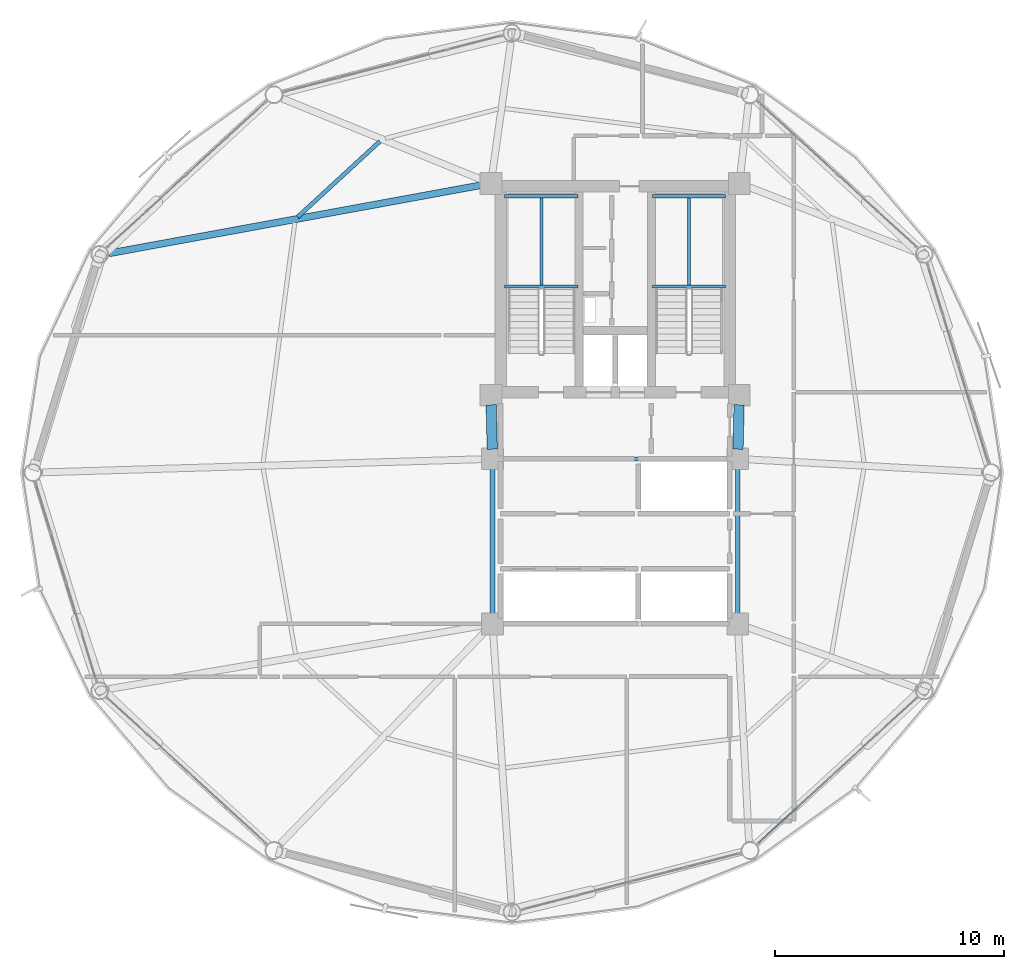
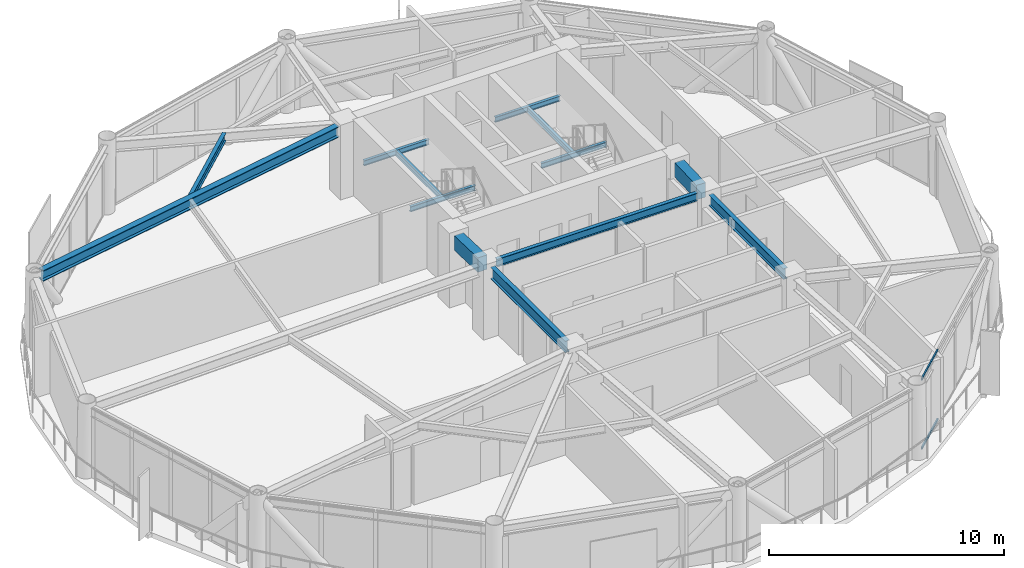
# One storey, part 12 of 27: 13 beams, 2 members, 1 element without a shape of its own.
"""IFC4 building model written with IfcOpenShell, lengths in metres."""

from ifc_helpers import new_model, si_unit, direction, frame, origin, origin_2d, place, context, subcontext, project, spatial, rectangle, hollow_rectangle, i_section, extrude, material, layer, layer_set, material_profile, profile_set, type_object, element, aggregate, save


model = new_model("IFC4")

# Units and contexts
model_context = context("Model", 3, precision=1e-05, world=origin(), true_north=direction((0.0, 1.0)))
body_context = subcontext(model_context, "Body", "Model", "MODEL_VIEW")
ifc_project = project(units=[si_unit("LENGTHUNIT", "METRE"), si_unit("AREAUNIT", "SQUARE_METRE"), si_unit("VOLUMEUNIT", "CUBIC_METRE"), si_unit("PLANEANGLEUNIT", "RADIAN"), si_unit("MASSUNIT", "GRAM", prefix="KILO")], contexts=[model_context])

# Site, building, storey
site_placement = place(None, origin())
site = spatial("IfcSite", under=ifc_project, at=site_placement, CompositionType="ELEMENT")
building_placement = place(site_placement, origin())
building = spatial("IfcBuilding", under=site, at=building_placement, Name="Varnakorn Sky Granary", CompositionType="ELEMENT")
storey_placement = place(building_placement, frame((0.0, 0.0, 142.199951171875)))
storey = spatial("IfcBuildingStorey", under=building, at=storey_placement, Name="L35", CompositionType="ELEMENT", Elevation=142.199951171875)

# Beams
ifc_material_1 = material(Name="Steel S355JR", Category="steel")
ifc_material_profile_1 = material_profile(ifc_material_1, i_section(OverallWidth=0.2099609375, OverallDepth=0.550048828125, WebThickness=0.010986328125, FlangeThickness=0.01708984375, at=origin_2d()), Name="IPE 550")
ifc_profile_set_1 = profile_set([ifc_material_profile_1], Name="Steel S355JR")
beam_type_1 = type_object("IfcBeamType", Name="BM-JST-550", PredefinedType="JOIST", material=ifc_profile_set_1)
beam_1_placement = place(storey_placement, frame((8.35009765625, 0.179931640625, 3.364990234375), z_axis=(0.0, -1.0, 0.0), x_axis=(1.0, 0.0, 0.0)))
element("IfcBeam", 1, at=beam_1_placement, inside=storey, type_object=beam_type_1, Name="Core Spine Framing Beam 4 L35", PredefinedType="JOIST", context=body_context, shape_type="SweptSolid", body=[
    extrude(i_section(OverallWidth=0.2099609375, OverallDepth=0.550048828125, WebThickness=0.010986328125, FlangeThickness=0.01708984375, at=origin_2d()), origin(), (0.0, 0.0, 1.0), 6.35986328125),
])
ifc_material_profile_2 = material_profile(ifc_material_1, i_section(OverallWidth=0.219970703125, OverallDepth=0.60009765625, WebThickness=0.011962890625, FlangeThickness=0.01904296875, at=origin_2d()), Name="IPE 600")
ifc_profile_set_2 = profile_set([ifc_material_profile_2], Name="Steel S355JR")
beam_type_2 = type_object("IfcBeamType", Name="BM-JST-600", PredefinedType="JOIST", material=ifc_profile_set_2)
beam_2_placement = place(storey_placement, frame((-2.35009765625, 0.179931640625, 3.340087890625), z_axis=(0.0, -1.0, 0.0), x_axis=(1.0, 0.0, 0.0)))
element("IfcBeam", 2, at=beam_2_placement, inside=storey, type_object=beam_type_2, Name="Core Spine Framing Beam 3 L35", PredefinedType="JOIST", context=body_context, shape_type="SweptSolid", body=[
    extrude(i_section(OverallWidth=0.219970703125, OverallDepth=0.60009765625, WebThickness=0.011962890625, FlangeThickness=0.01904296875, at=origin_2d()), origin(), (0.0, 0.0, 1.0), 6.35986328125),
])
ifc_material_2 = material(Name="Concrete C60/75", Category="concrete")
ifc_material_profile_3 = material_profile(ifc_material_2, rectangle(XDim=0.449951171875, YDim=0.75, at=origin_2d()), Name="RC 450x750")
ifc_profile_set_3 = profile_set([ifc_material_profile_3], Name="Concrete C60/75")
beam_type_3 = type_object("IfcBeamType", Name="BM-LIN-750", PredefinedType="LINTEL", material=ifc_profile_set_3)
for number, where, z_axis, x_axis, name in (
    (3, (-2.409423828125, 2.960205078125, 3.26513671875), (0.025158763514, -0.999683468213, 0.0), (0.999683468213, 0.025158763514, 0.0), "Core Spine Framing Beam 1 L35"),
    (4, (8.409423828125, 2.960205078125, 3.26513671875), (-0.025158763514, -0.999683468213, 0.0), (0.999683468213, -0.025158763514, 0.0), "Core Spine Framing Beam 2 L35"),
):
    element("IfcBeam", number, at=place(storey_placement, frame(where, z_axis=z_axis, x_axis=x_axis)), inside=storey, type_object=beam_type_3, Name=name, PredefinedType="LINTEL", context=body_context, shape_type="SweptSolid", body=[
        extrude(rectangle(XDim=0.449951171875, YDim=0.75, at=origin_2d()), origin(), (0.0, 0.0, 1.0), 1.94091796875),
    ])
ifc_material_profile_4 = material_profile(ifc_material_1, i_section(OverallWidth=0.135009765625, OverallDepth=0.27001953125, WebThickness=0.006591796875, FlangeThickness=0.01025390625, at=origin_2d()), Name="IPE 270")
ifc_profile_set_4 = profile_set([ifc_material_profile_4], Name="Steel S355JR")
beam_type_4 = type_object("IfcBeamType", Name="BM-LND-270", PredefinedType="BEAM", material=ifc_profile_set_4)
for number, where, z_axis, x_axis, name in (
    (5, (-1.820068359375, 8.1201171875, 1.614990234375), (1.0, 0.0, 0.0), (0.0, 1.0, 0.0), "Stair ST-1 Landing Trimmer Beam A L35-1"),
    (6, (-1.820068359375, 12.06005859375, 1.614990234375), (1.0, 0.0, 0.0), (0.0, 1.0, 0.0), "Stair ST-1 Landing Trimmer Beam B L35-1"),
):
    element("IfcBeam", number, at=place(storey_placement, frame(where, z_axis=z_axis, x_axis=x_axis)), inside=storey, type_object=beam_type_4, Name=name, PredefinedType="BEAM", context=body_context, shape_type="SweptSolid", body=[
        extrude(i_section(OverallWidth=0.135009765625, OverallDepth=0.27001953125, WebThickness=0.006591796875, FlangeThickness=0.01025390625, at=origin_2d()), origin(), (0.0, 0.0, 1.0), 3.199951171875),
    ])
beam_3_placement = place(storey_placement, frame((-0.219970703125, 8.1201171875, 1.614990234375), z_axis=(0.0, 1.0, 0.0), x_axis=(-1.0, 0.0, 0.0)))
element("IfcBeam", 7, at=beam_3_placement, inside=storey, type_object=beam_type_4, Name="Stair ST-1 Landing Cross Beam C L35-1", PredefinedType="BEAM", context=body_context, shape_type="SweptSolid", body=[
    extrude(i_section(OverallWidth=0.135009765625, OverallDepth=0.27001953125, WebThickness=0.006591796875, FlangeThickness=0.01025390625, at=origin_2d()), origin(), (0.0, 0.0, 1.0), 3.93994140625),
])
for number, where, z_axis, x_axis, name in (
    (8, (4.6201171875, 8.1201171875, 1.614990234375), (1.0, 0.0, 0.0), (0.0, 1.0, 0.0), "Stair ST-2 Landing Trimmer Beam A L35-1"),
    (9, (4.6201171875, 12.06005859375, 1.614990234375), (1.0, 0.0, 0.0), (0.0, 1.0, 0.0), "Stair ST-2 Landing Trimmer Beam B L35-1"),
):
    element("IfcBeam", number, at=place(storey_placement, frame(where, z_axis=z_axis, x_axis=x_axis)), inside=storey, type_object=beam_type_4, Name=name, PredefinedType="BEAM", context=body_context, shape_type="SweptSolid", body=[
        extrude(i_section(OverallWidth=0.135009765625, OverallDepth=0.27001953125, WebThickness=0.006591796875, FlangeThickness=0.01025390625, at=origin_2d()), origin(), (0.0, 0.0, 1.0), 3.199951171875),
    ])
beam_4_placement = place(storey_placement, frame((6.219970703125, 8.1201171875, 1.614990234375), z_axis=(0.0, 1.0, 0.0), x_axis=(-1.0, 0.0, 0.0)))
element("IfcBeam", 10, at=beam_4_placement, inside=storey, type_object=beam_type_4, Name="Stair ST-2 Landing Cross Beam C L35-1", PredefinedType="BEAM", context=body_context, shape_type="SweptSolid", body=[
    extrude(i_section(OverallWidth=0.135009765625, OverallDepth=0.27001953125, WebThickness=0.006591796875, FlangeThickness=0.01025390625, at=origin_2d()), origin(), (0.0, 0.0, 1.0), 3.93994140625),
])
ifc_material_profile_5 = material_profile(ifc_material_1, i_section(OverallWidth=0.300048828125, OverallDepth=0.550048828125, WebThickness=0.014892578125, FlangeThickness=0.029052734375, at=origin_2d()), Name="HE 550 B")
ifc_profile_set_5 = profile_set([ifc_material_profile_5], Name="Steel S355JR")
beam_type_5 = type_object("IfcBeamType", Name="BM-RAD-Z3", PredefinedType="BEAM", material=ifc_profile_set_5)
beam_5_placement = place(storey_placement, frame((-2.8330078125, 12.544189453125, 3.364990234375), z_axis=(-0.983614683729, -0.180283537665, 0.0), x_axis=(0.180283537665, -0.983614683729, 0.0)))
element("IfcBeam", 11, at=beam_5_placement, inside=storey, type_object=beam_type_5, Name="Radial Floor Girder RG06 L35", PredefinedType="BEAM", context=body_context, shape_type="SweptSolid", body=[
    extrude(i_section(OverallWidth=0.300048828125, OverallDepth=0.550048828125, WebThickness=0.014892578125, FlangeThickness=0.029052734375, at=origin_2d()), origin(), (0.0, 0.0, 1.0), 16.517333984375),
])
ifc_material_profile_6 = material_profile(ifc_material_1, i_section(OverallWidth=0.179931640625, OverallDepth=0.39990234375, WebThickness=0.008544921875, FlangeThickness=0.013427734375, at=origin_2d()), Name="IPE 400")
ifc_profile_set_6 = profile_set([ifc_material_profile_6], Name="Steel S355JR")
beam_type_6 = type_object("IfcBeamType", Name="BM-SEC-Z3", PredefinedType="BEAM", material=ifc_profile_set_6)
beam_6_placement = place(storey_placement, frame((-7.2666015625, 14.452880859375, 3.43994140625), z_axis=(-0.735647528109, -0.67736453582, 0.0), x_axis=(0.67736453582, -0.735647528109, 0.0)))
element("IfcBeam", 12, at=beam_6_placement, inside=storey, type_object=beam_type_6, Name="Secondary Floor Chord Beam MSB05 L35", PredefinedType="BEAM", context=body_context, shape_type="SweptSolid", body=[
    extrude(i_section(OverallWidth=0.179931640625, OverallDepth=0.39990234375, WebThickness=0.008544921875, FlangeThickness=0.013427734375, at=origin_2d()), origin(), (0.0, 0.0, 1.0), 4.8759765625),
])
beam_7_placement = place(storey_placement, frame((-1.929931640625, 0.60009765625, 3.43994140625), z_axis=(1.0, 0.0, 0.0), x_axis=(0.0, 1.0, 0.0)))
element("IfcBeam", 13, at=beam_7_placement, inside=storey, type_object=beam_type_6, Name="Core Spine Framing Beam 5 L35", PredefinedType="BEAM", context=body_context, shape_type="SweptSolid", body=[
    extrude(i_section(OverallWidth=0.179931640625, OverallDepth=0.39990234375, WebThickness=0.008544921875, FlangeThickness=0.013427734375, at=origin_2d()), origin(), (0.0, 0.0, 1.0), 9.85986328125),
])

# Curtain wall, members
ifc_material_3 = material(Name="Anodised Bronze Aluminium Alloy 6063-T6", Category="aluminium")
ifc_layer = layer(ifc_material_3, 0.179931640625, Name="Anodised Bronze Aluminium Alloy 6063-T6")
ifc_layer_set = layer_set([ifc_layer], Name="Anodised Bronze Aluminium Alloy 6063-T6")
curtain_wall_type = type_object("IfcCurtainWallType", Name="CW-FRM-2", PredefinedType="USERDEFINED", material=ifc_layer_set)
curtain_wall_placement = place(storey_placement, origin())
curtain_wall = element("IfcCurtainWall", 14, at=curtain_wall_placement, inside=storey, type_object=curtain_wall_type, Name="Unitised Curtain Wall CW4 CW-L35-B11", ObjectType="CURTAIN WALL", PredefinedType="USERDEFINED")
ifc_material_profile_7 = material_profile(ifc_material_3, hollow_rectangle(XDim=0.06494140625, YDim=0.1201171875, WallThickness=0.00341796875, at=origin_2d()), Name="ALU TRAN 65x120")
ifc_profile_set_7 = profile_set([ifc_material_profile_7], Name="Anodised Bronze Aluminium Alloy 6063-T6")
member_type = type_object("IfcMemberType", Name="CW-FRM-2-TRAN", PredefinedType="USERDEFINED", material=ifc_profile_set_7)
member_1_placement = place(storey_placement, frame((10.929443359375, -14.627685546875, 0.032470703125), z_axis=(-0.737145148517, -0.675734437496, 0.0), x_axis=(0.675734437496, -0.737145148517, 0.0)))
member_1 = element("IfcMember", 15, at=member_1_placement, type_object=member_type, Name="CW4 transom 4.1", ObjectType="TRANSOM", PredefinedType="USERDEFINED", context=body_context, shape_type="SweptSolid", body=[
    extrude(hollow_rectangle(XDim=0.06494140625, YDim=0.1201171875, WallThickness=0.00341796875, at=origin_2d()), origin(), (0.0, 0.0, 1.0), 2.254150390625),
])
member_2_placement = place(storey_placement, frame((10.929443359375, -14.627685546875, 3.607666015625), z_axis=(-0.737145148517, -0.675734437496, 0.0), x_axis=(0.675734437496, -0.737145148517, 0.0)))
member_2 = element("IfcMember", 16, at=member_2_placement, type_object=member_type, Name="CW4 transom 4.2", ObjectType="TRANSOM", PredefinedType="USERDEFINED", context=body_context, shape_type="SweptSolid", body=[
    extrude(hollow_rectangle(XDim=0.06494140625, YDim=0.1201171875, WallThickness=0.00341796875, at=origin_2d()), origin(), (0.0, 0.0, 1.0), 2.254150390625),
])
aggregate(curtain_wall, [member_1, member_2])

save(model, "model.ifc")
